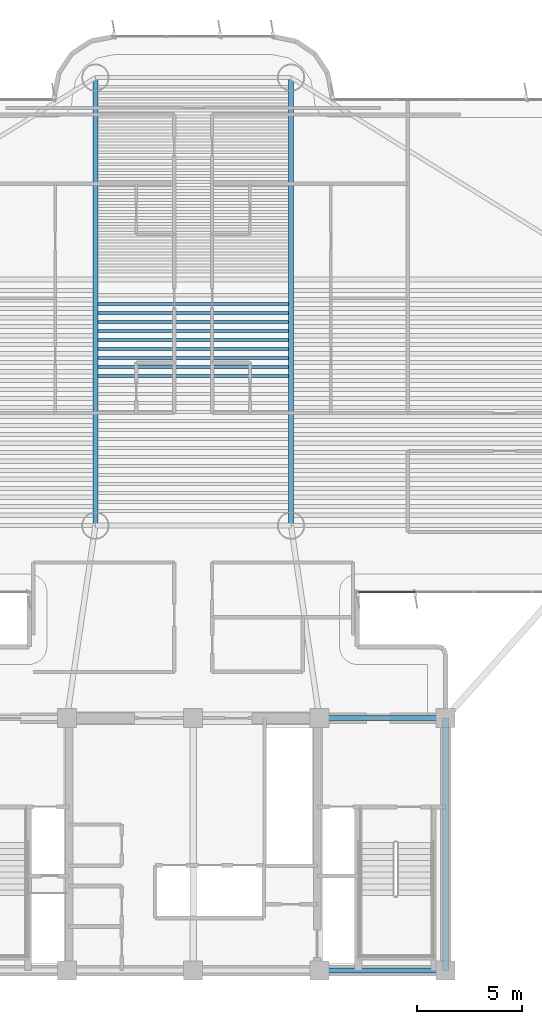
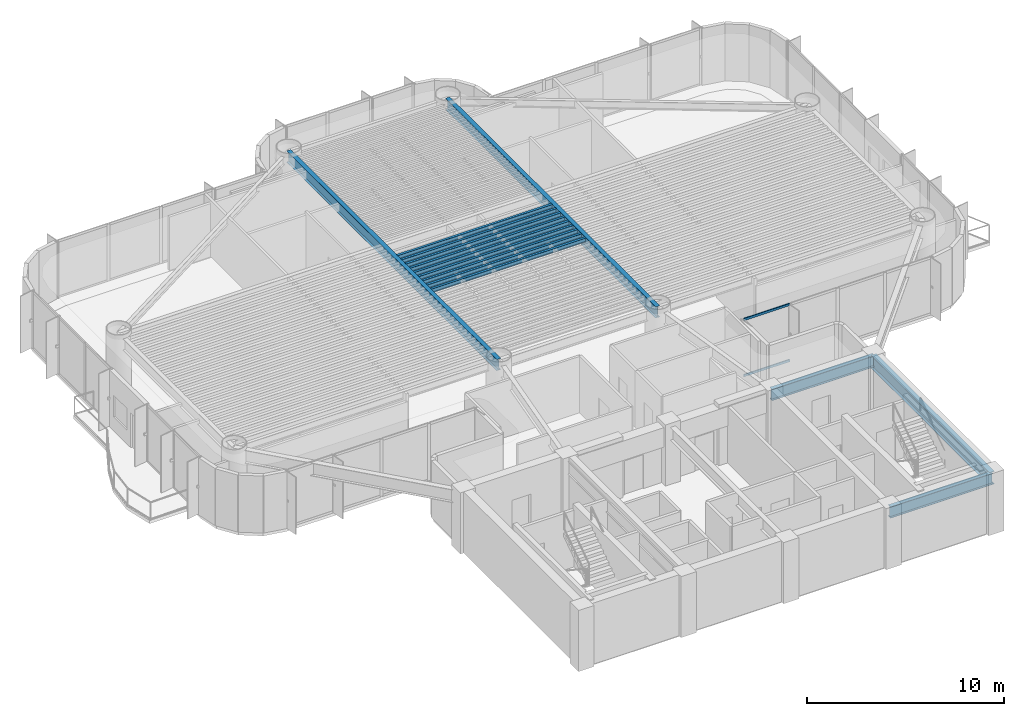
# One storey, part 3 of 16: 14 beams, 2 members, 1 element without a shape of its own.
"""IFC4 building model written with IfcOpenShell, lengths in metres."""

import ifcopenshell
import ifcopenshell.guid

model = None  # the IFC model being written
_history = None  # IfcOwnerHistory: only IFC2X3 demands one
_inside = {}  # id of a spatial element -> (the spatial element, [elements in it])
_under = {}  # id of a project, library or spatial element -> (it, [spatial elements below it])
_declared = {}  # id of a project -> (the project, [libraries it declares])
_typed = {}  # id of a type object -> (the type object, [elements of that type])
_made_of = {}  # id of a material, layer set ... -> (it, [elements and type objects made of it])


def new_model(schema):
    """Start an empty IFC model of exactly this schema.

    Asked for "IFC4X3", IfcOpenShell would pick the latest addendum, in which some entities
    have other attributes; the version numbers below select the first issue.
    IFC2X3 requires an IfcOwnerHistory on every rooted entity: one is made here for all.
    """
    global model, _history
    if schema == "IFC4X3":
        model = ifcopenshell.file(schema_version=(4, 3, 0, 0))
    else:
        model = ifcopenshell.file(schema=schema)
    _inside.clear()
    _under.clear()
    _declared.clear()
    _typed.clear()
    _made_of.clear()
    _history = None
    if model.schema == "IFC2X3":
        org = make("IfcOrganization", Name="unknown")
        user = make(
            "IfcPersonAndOrganization",
            ThePerson=make("IfcPerson", FamilyName="unknown"),
            TheOrganization=org,
        )
        app = make(
            "IfcApplication",
            ApplicationDeveloper=org,
            Version="unknown",
            ApplicationFullName="unknown",
            ApplicationIdentifier="unknown",
        )
        _history = make(
            "IfcOwnerHistory",
            OwningUser=user,
            OwningApplication=app,
            ChangeAction="ADDED",
            CreationDate=0,
        )
    return model


def make(cls, **values):
    """One entity of the class cls with the attributes given. An attribute that is None is left unset."""
    return model.create_entity(
        cls, **{name: value for name, value in values.items() if value is not None}
    )


def rooted(cls, **values):
    """An entity with a GlobalId (a new one), such as an element, a storey or a relation."""
    return make(cls, GlobalId=ifcopenshell.guid.new(), OwnerHistory=_history, **values)


def si_unit(unit_type, name, prefix=None):
    """IfcSIUnit, for example si_unit("LENGTHUNIT", "METRE", prefix="MILLI")."""
    return make("IfcSIUnit", UnitType=unit_type, Prefix=prefix, Name=name)


def assignment(units):
    """IfcUnitAssignment: the units of a project."""
    return None if units is None else make("IfcUnitAssignment", Units=units)


def point(xyz):
    """IfcCartesianPoint."""
    return None if xyz is None else make("IfcCartesianPoint", Coordinates=xyz)


def direction(xyz):
    """IfcDirection."""
    return None if xyz is None else make("IfcDirection", DirectionRatios=xyz)


def frame(location, z_axis=None, x_axis=None):
    """IfcAxis2Placement3D, a coordinate frame: its origin and axes. An axis left out is left unset."""
    return make(
        "IfcAxis2Placement3D",
        Location=point(location),
        Axis=direction(z_axis),
        RefDirection=direction(x_axis),
    )


def frame_2d(location, x_axis=None):
    """IfcAxis2Placement2D, a coordinate frame in the plane: its origin and x axis."""
    return make(
        "IfcAxis2Placement2D", Location=point(location), RefDirection=direction(x_axis)
    )


def origin():
    """The frame at (0, 0, 0) with its axes left unset."""
    return frame((0.0, 0.0, 0.0))


def origin_2d():
    """The frame at (0, 0) in the plane with its x axis left unset."""
    return frame_2d((0.0, 0.0))


def place(relative_to, where):
    """IfcLocalPlacement: puts the frame where relative to a parent placement (None: the world)."""
    return make(
        "IfcLocalPlacement", PlacementRelTo=relative_to, RelativePlacement=where
    )


def context(
    kind, dimensions, precision=None, world=None, true_north=None, identifier=None
):
    """IfcGeometricRepresentationContext, for example the 3D "Model" context."""
    return make(
        "IfcGeometricRepresentationContext",
        ContextIdentifier=identifier,
        ContextType=kind,
        CoordinateSpaceDimension=dimensions,
        Precision=precision,
        WorldCoordinateSystem=world,
        TrueNorth=true_north,
    )


def subcontext(parent, identifier, kind, view, scale=None):
    """IfcGeometricRepresentationSubContext, for example "Body" below "Model"."""
    return make(
        "IfcGeometricRepresentationSubContext",
        ContextIdentifier=identifier,
        ContextType=kind,
        ParentContext=parent,
        TargetScale=scale,
        TargetView=view,
    )


def project(units=None, contexts=None):
    """IfcProject with its units and contexts."""
    return rooted(
        "IfcProject",
        Name="project",
        RepresentationContexts=contexts,
        UnitsInContext=assignment(units),
    )


def spatial(cls, under=None, at=None, **own):
    """A site, building, storey or space (cls), placed at a placement, below another one or the project."""
    s = rooted(cls, ObjectPlacement=at, **own)
    if under is not None:
        _under.setdefault(under.id(), (under, []))[1].append(s)
    return s


def profile(cls, at=None, kind="AREA", **sizes):
    """A parametric profile (cls). Its sizes go by their IFC names, for example OverallWidth=200.0."""
    return make(cls, ProfileType=kind, Position=at, **sizes)


def rectangle(**sizes):
    """IfcRectangleProfileDef."""
    return profile("IfcRectangleProfileDef", **sizes)


def i_section(**sizes):
    """IfcIShapeProfileDef."""
    return profile("IfcIShapeProfileDef", **sizes)


def extrude(swept, where, along, depth):
    """IfcExtrudedAreaSolid: the profile swept, set in the frame where, extruded along a direction by depth."""
    return make(
        "IfcExtrudedAreaSolid",
        SweptArea=swept,
        Position=where,
        ExtrudedDirection=direction(along),
        Depth=depth,
    )


def shape(context_of_items, identifier, shape_type, items):
    """IfcShapeRepresentation: the items that make up one representation, for example the "Body"."""
    return make(
        "IfcShapeRepresentation",
        ContextOfItems=context_of_items,
        RepresentationIdentifier=identifier,
        RepresentationType=shape_type,
        Items=items,
    )


def source(mapping_origin, context_of_items, identifier, shape_type, items):
    """IfcRepresentationMap: a shape defined once, which mapped items show again and again."""
    return make(
        "IfcRepresentationMap",
        MappingOrigin=mapping_origin,
        MappedRepresentation=shape(context_of_items, identifier, shape_type, items),
    )


def transform(
    local_origin,
    x_axis=None,
    y_axis=None,
    z_axis=None,
    scale=None,
    scale2=None,
    scale3=None,
    uniform=True,
):
    """IfcCartesianTransformationOperator3D, or its non-uniform kind. x_axis, y_axis, z_axis: its Axis1, 2, 3."""
    if uniform:
        return make(
            "IfcCartesianTransformationOperator3D",
            Axis1=direction(x_axis),
            Axis2=direction(y_axis),
            LocalOrigin=point(local_origin),
            Scale=scale,
            Axis3=direction(z_axis),
        )
    return make(
        "IfcCartesianTransformationOperator3DnonUniform",
        Axis1=direction(x_axis),
        Axis2=direction(y_axis),
        LocalOrigin=point(local_origin),
        Scale=scale,
        Axis3=direction(z_axis),
        Scale2=scale2,
        Scale3=scale3,
    )


def mapped(mapping_source, mapping_target):
    """IfcMappedItem: shows the shape of a source again, moved by a transform."""
    return make(
        "IfcMappedItem", MappingSource=mapping_source, MappingTarget=mapping_target
    )


def material(Name=None, Category=None):
    """IfcMaterial."""
    return make("IfcMaterial", Name=Name, Category=Category)


def layer(
    of_material, thickness, ventilated=None, Name=None, Category=None, Priority=None
):
    """IfcMaterialLayer: one layer of a wall or slab, of a material (None: an air gap)."""
    return make(
        "IfcMaterialLayer",
        Material=of_material,
        LayerThickness=thickness,
        IsVentilated=ventilated,
        Name=Name,
        Category=Category,
        Priority=Priority,
    )


def layer_set(layers, Name=None):
    """IfcMaterialLayerSet."""
    return make("IfcMaterialLayerSet", MaterialLayers=layers, LayerSetName=Name)


def material_profile(
    of_material, cross_section, Name=None, Category=None, Priority=None
):
    """IfcMaterialProfile: a cross section and its material."""
    return make(
        "IfcMaterialProfile",
        Name=Name,
        Material=of_material,
        Profile=cross_section,
        Priority=Priority,
        Category=Category,
    )


def profile_set(profiles, Name=None, composite=None):
    """IfcMaterialProfileSet."""
    return make(
        "IfcMaterialProfileSet",
        Name=Name,
        MaterialProfiles=profiles,
        CompositeProfile=composite,
    )


def made_of(thing, what):
    """Note that an element or type object is made of a material, layer set ...; save() writes the relation."""
    if what is not None:
        _made_of.setdefault(what.id(), (what, []))[1].append(thing)
    return thing


def type_object(cls, material=None, **own):
    """A type object (cls), such as IfcWallType, which elements share."""
    return made_of(rooted(cls, **own), material)


def element(
    cls,
    number,
    at=None,
    inside=None,
    cuts=None,
    type_object=None,
    material=None,
    context=None,
    identifier="Body",
    shape_type=None,
    held_by="IfcProductDefinitionShape",
    body=None,
    shapes=None,
    **own,
):
    """One element of the class cls, such as IfcWall. Its Tag is "e" and its number.

    at: its placement. inside: the storey or other place that contains it. cuts: it is an
    opening in that element (IfcRelVoidsElement). A single representation is given by context,
    identifier, shape_type and body (its items); several are given by shapes. held_by: the class
    of the entity that holds the representations. save() writes the other relations.
    """
    e = rooted(cls, Tag="e%d" % number, ObjectPlacement=at, **own)
    if body is not None:
        shapes = [shape(context, identifier, shape_type, body)]
    if shapes is not None:
        e.Representation = make(held_by, Representations=shapes)
    if inside is not None:
        _inside.setdefault(inside.id(), (inside, []))[1].append(e)
    if cuts is not None:
        rooted(
            "IfcRelVoidsElement", RelatingBuildingElement=cuts, RelatedOpeningElement=e
        )
    if type_object is not None:
        _typed.setdefault(type_object.id(), (type_object, []))[1].append(e)
    return made_of(e, material)


def aggregate(whole, parts):
    """IfcRelAggregates: a whole, such as a stair, and the parts it consists of."""
    return rooted("IfcRelAggregates", RelatingObject=whole, RelatedObjects=parts)


def save(model, path):
    """Write the relations noted so far, then the file.

    IfcRelAggregates (storeys below a building ...), IfcRelContainedInSpatialStructure (elements
    in a storey), IfcRelDefinesByType, IfcRelAssociatesMaterial and IfcRelDeclares: one each for
    every whole, place, type object, material and project.
    """
    for whole, parts in _under.values():
        aggregate(whole, parts)
    for where, things in _inside.values():
        rooted(
            "IfcRelContainedInSpatialStructure",
            RelatedElements=things,
            RelatingStructure=where,
        )
    for kind, things in _typed.values():
        rooted("IfcRelDefinesByType", RelatedObjects=things, RelatingType=kind)
    for what, things in _made_of.values():
        rooted("IfcRelAssociatesMaterial", RelatedObjects=things, RelatingMaterial=what)
    for by, libraries in _declared.values():
        rooted("IfcRelDeclares", RelatingContext=by, RelatedDefinitions=libraries)
    model.write(path)


model = new_model("IFC4")

# Units and contexts
model_context = context("Model", 3, precision=1e-05, world=origin(), true_north=direction((0.0, 1.0)))
body_context = subcontext(model_context, "Body", "Model", "MODEL_VIEW")
ifc_project = project(units=[si_unit("LENGTHUNIT", "METRE"), si_unit("AREAUNIT", "SQUARE_METRE"), si_unit("VOLUMEUNIT", "CUBIC_METRE"), si_unit("PLANEANGLEUNIT", "RADIAN"), si_unit("MASSUNIT", "GRAM", prefix="KILO")], contexts=[model_context])

# Site, building, storey
site_placement = place(None, origin())
site = spatial("IfcSite", under=ifc_project, at=site_placement, CompositionType="ELEMENT")
building_placement = place(site_placement, origin())
building = spatial("IfcBuilding", under=site, at=building_placement, Name="Brelvock Crest Care Tower", CompositionType="ELEMENT")
storey_placement = place(building_placement, frame((0.0, 0.0, 138.9599609375)))
storey = spatial("IfcBuildingStorey", under=building, at=storey_placement, Name="L35", CompositionType="ELEMENT", Elevation=138.9599609375)

# Beams
ifc_material_1 = material(Name="Steel Grade 350", Category="steel")
ifc_material_profile_1 = material_profile(ifc_material_1, i_section(OverallWidth=0.25, OverallDepth=0.699951171875, WebThickness=0.011962890625, FlangeThickness=0.02001953125, at=origin_2d()), Name="700WB150")
ifc_profile_set_1 = profile_set([ifc_material_profile_1], Name="Steel Grade 350")
beam_type_1 = type_object("IfcBeamType", Name="BM-G4", PredefinedType="BEAM", material=ifc_profile_set_1)
shared_shape_1 = source(origin(), body_context, "Body", "SweptSolid", [
    extrude(i_section(OverallWidth=0.25, OverallDepth=0.699951171875, WebThickness=0.011962890625, FlangeThickness=0.02001953125, at=origin_2d()), origin(), (0.0, 0.0, 1.0), 6.0),
])
for number, where, z_axis, x_axis, name in (
    (1, (42.0, 6.0, 3.179931640625), (1.0, 0.0, 0.0), (0.0, 1.0, 0.0), "BM-CORES-L35-4"),
    (2, (42.0, 18.0, 3.179931640625), (1.0, 0.0, 0.0), (0.0, 1.0, 0.0), "BM-COREN-L35-4"),
):
    element("IfcBeam", number, at=place(storey_placement, frame(where, z_axis=z_axis, x_axis=x_axis)), inside=storey, type_object=beam_type_1, Name=name, PredefinedType="BEAM", context=body_context, shape_type="MappedRepresentation", body=[
        mapped(shared_shape_1, transform((0.0, 0.0, 0.0), x_axis=(1.0, 0.0, 0.0), y_axis=(0.0, 1.0, 0.0), z_axis=(0.0, 0.0, 1.0), scale=1.0)),
    ])
ifc_material_profile_2 = material_profile(ifc_material_1, i_section(OverallWidth=0.300048828125, OverallDepth=0.800048828125, WebThickness=0.013916015625, FlangeThickness=0.02197265625, at=origin_2d()), Name="800WB192")
ifc_profile_set_2 = profile_set([ifc_material_profile_2], Name="Steel Grade 350")
beam_type_2 = type_object("IfcBeamType", Name="BM-G5", PredefinedType="BEAM", material=ifc_profile_set_2)
shared_shape_2 = source(origin(), body_context, "Body", "SweptSolid", [
    extrude(i_section(OverallWidth=0.300048828125, OverallDepth=0.800048828125, WebThickness=0.013916015625, FlangeThickness=0.02197265625, at=origin_2d()), origin(), (0.0, 0.0, 1.0), 12.0),
])
beam_placement = place(storey_placement, frame((48.0, 6.0, 3.130126953125), z_axis=(0.0, 1.0, 0.0), x_axis=(-1.0, 0.0, 0.0)))
element("IfcBeam", 3, at=beam_placement, inside=storey, type_object=beam_type_2, Name="BM-COREX-L35-5", PredefinedType="BEAM", context=body_context, shape_type="MappedRepresentation", body=[
    mapped(shared_shape_2, transform((0.0, 0.0, 0.0), x_axis=(1.0, 0.0, 0.0), y_axis=(0.0, 1.0, 0.0), z_axis=(0.0, 0.0, 1.0), scale=1.0)),
])
ifc_material_profile_3 = material_profile(ifc_material_1, i_section(OverallWidth=0.14599609375, OverallDepth=0.256103515625, WebThickness=0.00634765625, FlangeThickness=0.010986328125, FilletRadius=0.0087890625, at=origin_2d()), Name="250UB37.3")
ifc_profile_set_3 = profile_set([ifc_material_profile_3], Name="Steel Grade 350")
beam_type_3 = type_object("IfcBeamType", Name="BM-J3", PredefinedType="JOIST", material=ifc_profile_set_3)
shared_shape_3 = source(origin(), body_context, "Body", "SweptSolid", [
    extrude(i_section(OverallWidth=0.14599609375, OverallDepth=0.256103515625, WebThickness=0.00634765625, FlangeThickness=0.010986328125, FilletRadius=0.0087890625, at=origin_2d()), origin(), (0.0, 0.0, 1.0), 9.06982421875),
])
for number, where, z_axis, x_axis, name in (
    (4, (31.465087890625, 34.2607421875, 3.402099609375), (1.0, 0.0, 0.0), (0.0, 1.0, 0.0), "BM-JH-L35-16"),
    (5, (31.465087890625, 34.687744140625, 3.402099609375), (1.0, 0.0, 0.0), (0.0, 1.0, 0.0), "BM-JH-L35-17"),
    (6, (31.465087890625, 35.11474609375, 3.402099609375), (1.0, 0.0, 0.0), (0.0, 1.0, 0.0), "BM-JH-L35-18"),
    (7, (31.465087890625, 35.541748046875, 3.402099609375), (1.0, 0.0, 0.0), (0.0, 1.0, 0.0), "BM-JH-L35-19"),
    (8, (31.465087890625, 35.96875, 3.402099609375), (1.0, 0.0, 0.0), (0.0, 1.0, 0.0), "BM-JH-L35-20"),
    (9, (31.465087890625, 36.39599609375, 3.402099609375), (1.0, 0.0, 0.0), (0.0, 1.0, 0.0), "BM-JH-L35-21"),
    (10, (31.465087890625, 36.822998046875, 3.402099609375), (1.0, 0.0, 0.0), (0.0, 1.0, 0.0), "BM-JH-L35-22"),
    (11, (31.465087890625, 37.25, 3.402099609375), (1.0, 0.0, 0.0), (0.0, 1.0, 0.0), "BM-JH-L35-23"),
    (12, (31.465087890625, 37.677001953125, 3.402099609375), (1.0, 0.0, 0.0), (0.0, 1.0, 0.0), "BM-JH-L35-24"),
):
    element("IfcBeam", number, at=place(storey_placement, frame(where, z_axis=z_axis, x_axis=x_axis)), inside=storey, type_object=beam_type_3, Name=name, PredefinedType="JOIST", context=body_context, shape_type="MappedRepresentation", body=[
        mapped(shared_shape_3, transform((0.0, 0.0, 0.0), x_axis=(1.0, 0.0, 0.0), y_axis=(0.0, 1.0, 0.0), z_axis=(0.0, 0.0, 1.0), scale=1.0)),
    ])
shared_shape_4 = source(origin(), body_context, "Body", "SweptSolid", [
    extrude(i_section(OverallWidth=0.25, OverallDepth=0.699951171875, WebThickness=0.011962890625, FlangeThickness=0.02001953125, at=origin_2d()), origin(), (0.0, 0.0, 1.0), 21.300048828125),
])
for number, where, z_axis, x_axis, name in (
    (13, (31.35009765625, 27.14990234375, 3.179931640625), (0.0, 1.0, 0.0), (-1.0, 0.0, 0.0), "BM-TWR-L35-09"),
    (14, (40.64990234375, 27.14990234375, 3.179931640625), (0.0, 1.0, 0.0), (-1.0, 0.0, 0.0), "BM-TWR-L35-10"),
):
    element("IfcBeam", number, at=place(storey_placement, frame(where, z_axis=z_axis, x_axis=x_axis)), inside=storey, type_object=beam_type_1, Name=name, PredefinedType="BEAM", context=body_context, shape_type="MappedRepresentation", body=[
        mapped(shared_shape_4, transform((0.0, 0.0, 0.0), x_axis=(1.0, 0.0, 0.0), y_axis=(0.0, 1.0, 0.0), z_axis=(0.0, 0.0, 1.0), scale=1.0)),
    ])

# Curtain wall, members
ifc_material_2 = material(Name="Dark Glass Double Glazed Low-E", Category="glass")
ifc_layer = layer(ifc_material_2, 0.2099609375, Name="CWS-3")
ifc_layer_set = layer_set([ifc_layer], Name="Dark Glass Double Glazed Low-E")
curtain_wall_type = type_object("IfcCurtainWallType", Name="CWS-3", PredefinedType="NOTDEFINED", material=ifc_layer_set)
curtain_wall_placement = place(storey_placement, origin())
curtain_wall = element("IfcCurtainWall", 15, at=curtain_wall_placement, inside=storey, type_object=curtain_wall_type, Name="L35 Curtain Wall E44", PredefinedType="NOTDEFINED")
ifc_material_3 = material(Name="Aluminium 6063-T6", Category="aluminium")
ifc_material_profile_4 = material_profile(ifc_material_3, rectangle(XDim=0.06005859375, YDim=0.139892578125, at=origin_2d()), Name="ALU60x140")
ifc_profile_set_4 = profile_set([ifc_material_profile_4], Name="Aluminium 6063-T6")
member_type = type_object("IfcMemberType", Name="CWT-2", PredefinedType="USERDEFINED", material=ifc_profile_set_4)
shared_shape_5 = source(origin(), body_context, "Body", "SweptSolid", [
    extrude(rectangle(XDim=0.06005859375, YDim=0.139892578125, at=origin_2d()), origin(), (0.0, 0.0, 1.0), 2.684814453125),
])
member_1_placement = place(storey_placement, frame((46.544921875, 24.0, 0.030029296875), z_axis=(-1.0, 0.0, 0.0), x_axis=(0.0, -1.0, 0.0)))
member_1 = element("IfcMember", 16, at=member_1_placement, type_object=member_type, Name="CW-3 transom 4.1", ObjectType="TRANSOM", PredefinedType="USERDEFINED", context=body_context, shape_type="MappedRepresentation", body=[
    mapped(shared_shape_5, transform((0.0, 0.0, 0.0), x_axis=(1.0, 0.0, 0.0), y_axis=(0.0, 1.0, 0.0), z_axis=(0.0, 0.0, 1.0), scale=1.0)),
])
member_2_placement = place(storey_placement, frame((46.544921875, 24.0, 3.5), z_axis=(-1.0, 0.0, 0.0), x_axis=(0.0, -1.0, 0.0)))
member_2 = element("IfcMember", 17, at=member_2_placement, type_object=member_type, Name="CW-3 transom 4.2", ObjectType="TRANSOM", PredefinedType="USERDEFINED", context=body_context, shape_type="MappedRepresentation", body=[
    mapped(shared_shape_5, transform((0.0, 0.0, 0.0), x_axis=(1.0, 0.0, 0.0), y_axis=(0.0, 1.0, 0.0), z_axis=(0.0, 0.0, 1.0), scale=1.0)),
])
aggregate(curtain_wall, [member_1, member_2])

save(model, "model.ifc")
